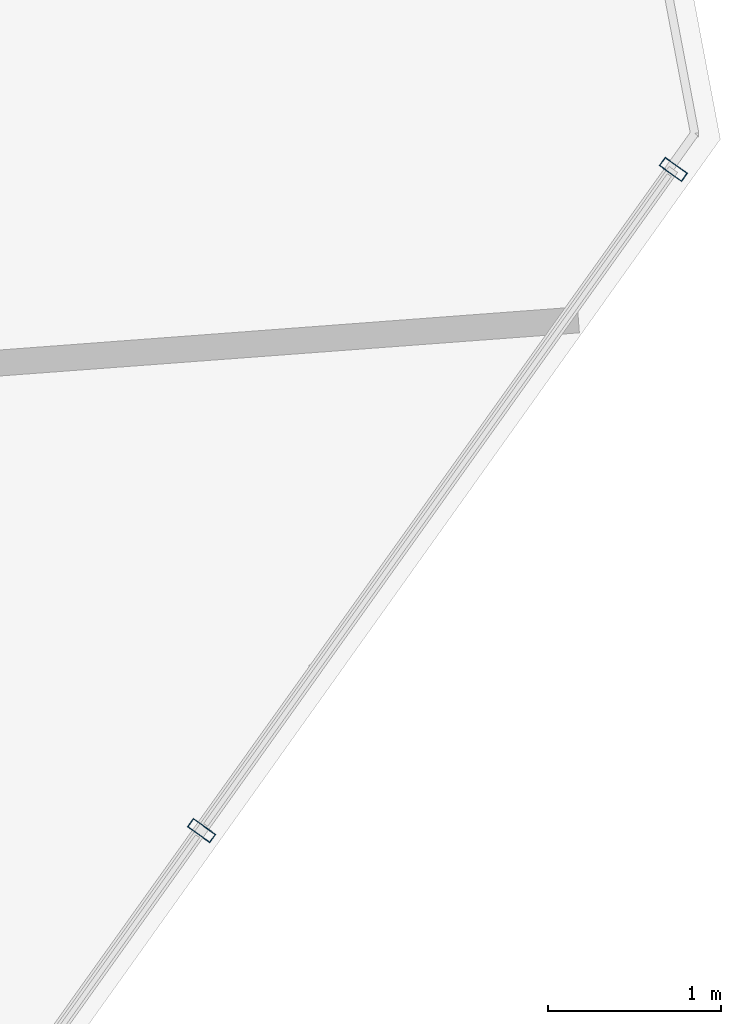
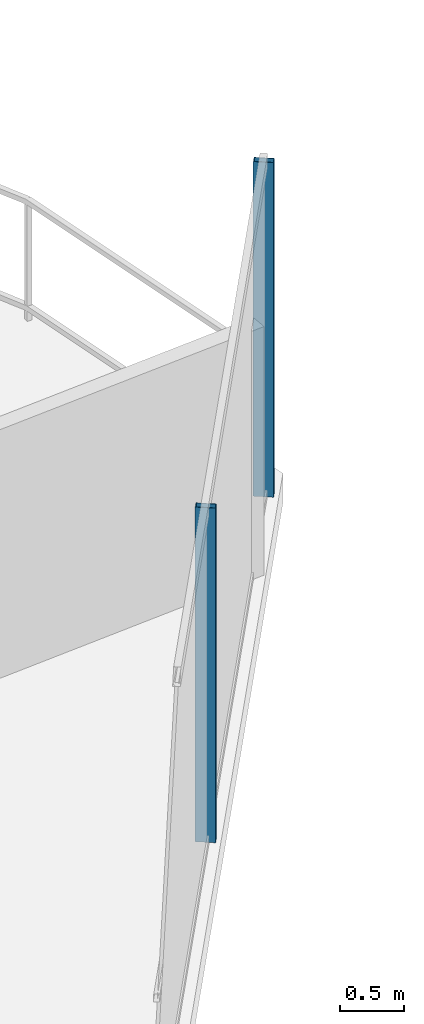
# One storey, part 15 of 30: 2 members, 1 element without a shape of its own.
"""IFC4 building model written with IfcOpenShell, lengths in metres."""

from ifc_helpers import new_model, si_unit, direction, frame, origin, origin_2d, place, context, subcontext, project, spatial, hollow_rectangle, extrude, material, layer, layer_set, material_profile, profile_set, type_object, element, aggregate, save


model = new_model("IFC4")

# Units and contexts
model_context = context("Model", 3, precision=1e-05, world=origin(), true_north=direction((0.0, 1.0)))
body_context = subcontext(model_context, "Body", "Model", "MODEL_VIEW")
ifc_project = project(units=[si_unit("LENGTHUNIT", "METRE"), si_unit("AREAUNIT", "SQUARE_METRE"), si_unit("VOLUMEUNIT", "CUBIC_METRE"), si_unit("PLANEANGLEUNIT", "RADIAN"), si_unit("MASSUNIT", "GRAM", prefix="KILO")], contexts=[model_context])

# Site, building, storey
site_placement = place(None, origin())
site = spatial("IfcSite", under=ifc_project, at=site_placement, CompositionType="ELEMENT")
building_placement = place(site_placement, origin())
building = spatial("IfcBuilding", under=site, at=building_placement, Name="Qarnah Convention Tower", CompositionType="ELEMENT")
storey_placement = place(building_placement, frame((0.0, 0.0, 47.699951171875)))
storey = spatial("IfcBuildingStorey", under=building, at=storey_placement, Name="L11", CompositionType="ELEMENT", Elevation=47.699951171875)

# Curtain wall, members
ifc_material_1 = material(Name="Tempered Low-E dark glass", Category="glass")
ifc_layer = layer(ifc_material_1, 0.16796875)
ifc_layer_set = layer_set([ifc_layer], Name="Tempered Low-E dark glass")
curtain_wall_type = type_object("IfcCurtainWallType", Name="CWS-01", PredefinedType="NOTDEFINED", material=ifc_layer_set)
curtain_wall_placement = place(storey_placement, origin())
curtain_wall = element("IfcCurtainWall", 1, at=curtain_wall_placement, inside=storey, type_object=curtain_wall_type, Name="L11 unitised curtain wall CW-L11-F3", PredefinedType="NOTDEFINED")
ifc_material_2 = material(Name="Black anodised aluminium", Category="aluminium")
ifc_material_profile = material_profile(ifc_material_2, hollow_rectangle(XDim=0.06005859375, YDim=0.159912109375, WallThickness=0.00390625, at=origin_2d()), Name="MUL-60X160")
ifc_profile_set = profile_set([ifc_material_profile], Name="Black anodised aluminium")
member_type = type_object("IfcMemberType", Name="MUL-T1", PredefinedType="MULLION", material=ifc_profile_set)
member_1_placement = place(storey_placement, frame((63.9619140625, 29.381103515625, 0.0), z_axis=(0.0, 0.0, 1.0), x_axis=(-0.580808410009, -0.814040288231, 0.0)))
member_1 = element("IfcMember", 2, at=member_1_placement, type_object=member_type, Name="CW-L11-F3 mullion 1", PredefinedType="MULLION", context=body_context, shape_type="SweptSolid", body=[
    extrude(hollow_rectangle(XDim=0.06005859375, YDim=0.159912109375, WallThickness=0.00390625, at=origin_2d()), origin(), (0.0, 0.0, 1.0), 3.170166015625),
])
member_2_placement = place(storey_placement, frame((61.234375, 25.55810546875, 0.0), z_axis=(0.0, 0.0, 1.0), x_axis=(-0.580808410009, -0.814040288231, 0.0)))
member_2 = element("IfcMember", 3, at=member_2_placement, type_object=member_type, Name="CW-L11-F3 mullion 2", PredefinedType="MULLION", context=body_context, shape_type="SweptSolid", body=[
    extrude(hollow_rectangle(XDim=0.06005859375, YDim=0.159912109375, WallThickness=0.00390625, at=origin_2d()), origin(), (0.0, 0.0, 1.0), 3.170166015625),
])
aggregate(curtain_wall, [member_1, member_2])

save(model, "model.ifc")
